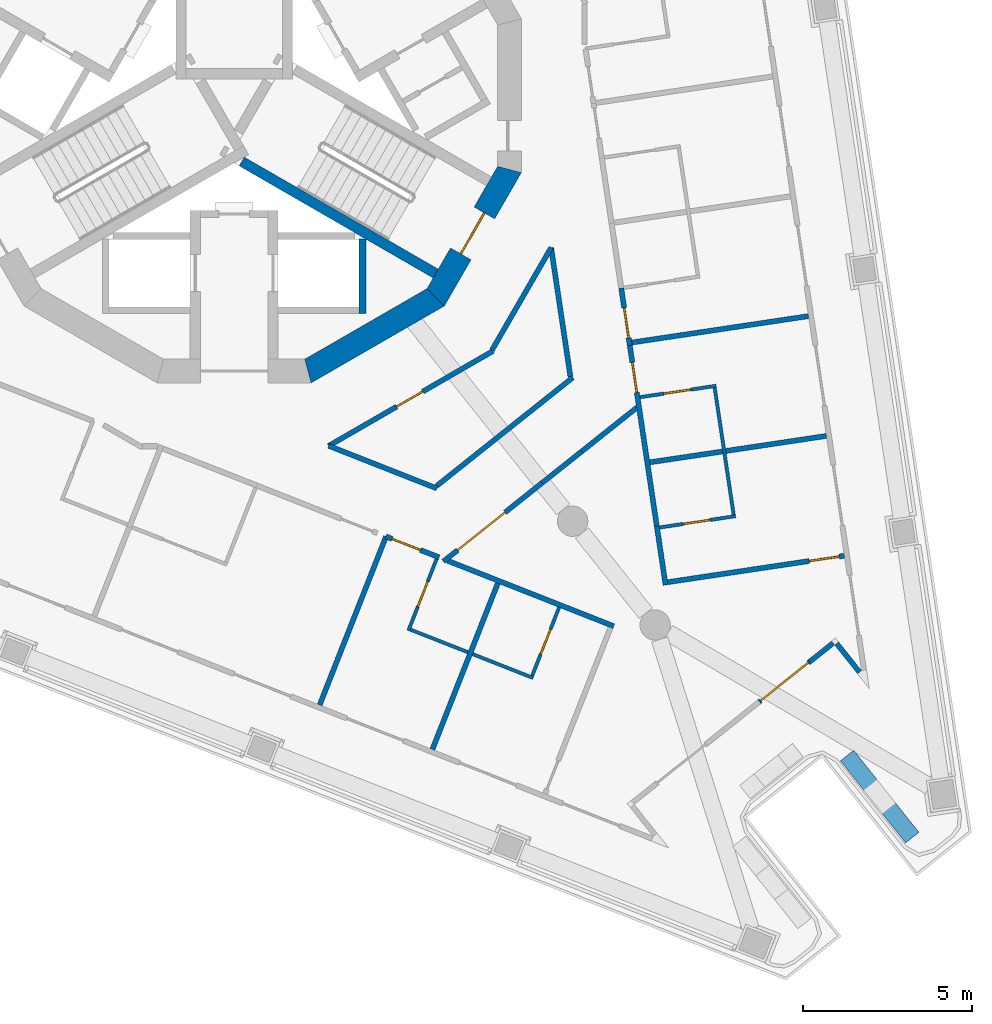
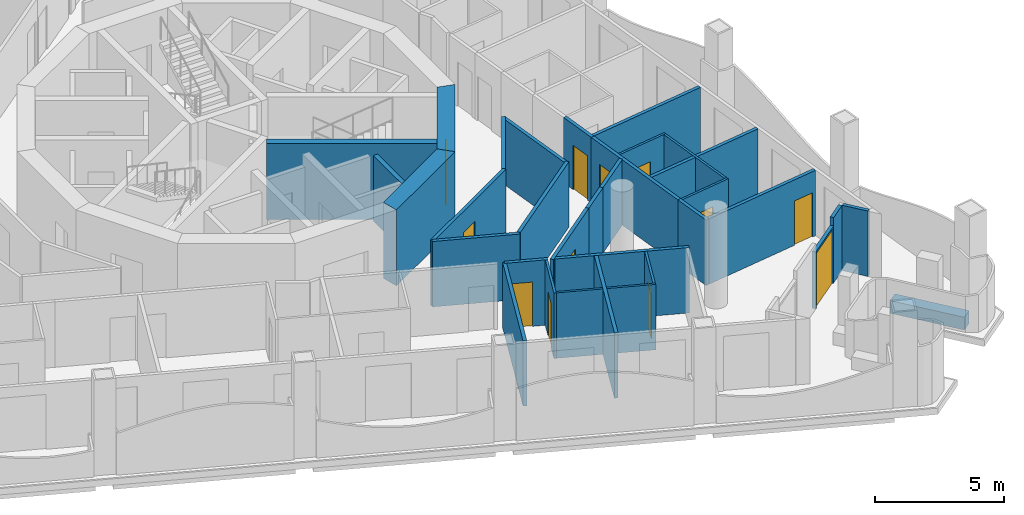
# One storey, part 5 of 16: 34 walls, 12 doors, 12 openings.
"""IFC4 building model written with IfcOpenShell, lengths in metres."""

from ifc_helpers import new_model, si_unit, direction, frame, frame_2d, origin, place, context, subcontext, project, spatial, polyline, rectangle, outline, extrude, material, layer, layer_set, type_object, element, fill, save


model = new_model("IFC4")

# Units and contexts
model_context = context("Model", 3, precision=1e-05, world=origin(), true_north=direction((0.0, 1.0)))
body_context = subcontext(model_context, "Body", "Model", "MODEL_VIEW")
ifc_project = project(units=[si_unit("LENGTHUNIT", "METRE"), si_unit("AREAUNIT", "SQUARE_METRE"), si_unit("VOLUMEUNIT", "CUBIC_METRE"), si_unit("PLANEANGLEUNIT", "RADIAN"), si_unit("MASSUNIT", "GRAM", prefix="KILO")], contexts=[model_context])

# Site, building, storey
site_placement = place(None, origin())
site = spatial("IfcSite", under=ifc_project, at=site_placement, CompositionType="ELEMENT")
building_placement = place(site_placement, origin())
building = spatial("IfcBuilding", under=site, at=building_placement, Name="Trine Commons Tower", CompositionType="ELEMENT")
storey_placement = place(building_placement, frame((0.0, 0.0, 226.800048828125)))
storey = spatial("IfcBuildingStorey", under=building, at=storey_placement, Name="L59", CompositionType="ELEMENT", Elevation=226.800048828125)

# Walls
ifc_material_1 = material(Name="Aluminium-framed insulated wall panel", Category="aluminium")
ifc_layer_1 = layer(ifc_material_1, 0.14990234375)
ifc_layer_set_1 = layer_set([ifc_layer_1], Name="Aluminium-framed insulated wall panel")
wall_type_1 = type_object("IfcWallType", Name="Glazed frame wall 150, EI 60", PredefinedType="SOLIDWALL", material=ifc_layer_set_1)
wall_1_placement = place(storey_placement, frame((98.603759765625, 45.320556640625, 0.0), z_axis=(0.0, 0.0, 1.0), x_axis=(-0.6225008228, 0.782619144676, 0.0)))
element("IfcWall", 1, at=wall_1_placement, inside=storey, type_object=wall_type_1, Name="Glazed frame wall R6", PredefinedType="SOLIDWALL", context=body_context, shape_type="SweptSolid", body=[
    extrude(outline(polyline([(0.1494140625, 0.074951171875), (0.1494140625, -0.074951171875), (1.235107421875, -0.074951171875), (1.235107421875, 0.074951171875), (0.1494140625, 0.074951171875)])), origin(), (0.0, 0.0, 1.0), 3.099853515625),
])
wall_2_placement = place(storey_placement, frame((97.815673828125, 46.367431640625, 0.0), z_axis=(0.0, 0.0, 1.0), x_axis=(-0.78265242488, -0.622458980037, 0.0)))
element("IfcWall", 2, at=wall_2_placement, inside=storey, type_object=wall_type_1, Name="Glazed frame wall P2.1", PredefinedType="SOLIDWALL", context=body_context, shape_type="SweptSolid", body=[
    extrude(outline(polyline([(0.110107421875, -0.074951171875), (1.0, -0.074951171875), (1.0, 0.074951171875), (0.110107421875, 0.074951171875), (0.110107421875, -0.074951171875)])), origin(), (0.0, 0.0, 1.0), 3.099853515625),
])

# Wall, opening, door
wall_3_placement = place(storey_placement, frame((97.033203125, 45.7451171875, 0.0), z_axis=(0.0, 0.0, 1.0), x_axis=(-0.782608167395, -0.622514623384, 0.0)))
wall_3 = element("IfcWall", 3, at=wall_3_placement, inside=storey, type_object=wall_type_1, Name="Glazed frame wall P2.2", PredefinedType="SOLIDWALL", context=body_context, shape_type="SweptSolid", body=[
    extrude(outline(polyline([(0.0, -0.074951171875), (1.89990234375, -0.074951171875), (1.89990234375, 0.074951171875), (0.0, 0.074951171875), (0.0, -0.074951171875)])), origin(), (0.0, 0.0, 1.0), 2.699951171875),
])
opening_1_placement = place(wall_3_placement, frame((0.050048828125, 0.0, 0.0)))
opening_1 = element("IfcOpeningElement", 4, at=opening_1_placement, cuts=wall_3, Name="Opening BD-6P2-01", PredefinedType="OPENING", context=body_context, shape_type="SweptSolid", body=[
    extrude(rectangle(XDim=1.800048828125, YDim=2.60009765625, at=frame_2d((0.89990234375, 1.300048828125))), frame((0.0, 0.0849609375, 0.0), z_axis=(0.0, -1.0, 0.0), x_axis=(1.0, 0.0, 0.0)), (0.0, 0.0, 1.0), 0.169921875),
])
ifc_material_2 = material(Name="Anodised aluminium frame with double glazing", Category="aluminium")
door_type_1 = type_object("IfcDoorType", Name="Sliding loggia door 1800x2600", OperationType="SLIDING_TO_LEFT", PredefinedType="DOOR", material=ifc_material_2)
door_1_placement = place(opening_1_placement, origin())
door_1 = element("IfcDoor", 5, at=door_1_placement, inside=storey, type_object=door_type_1, Name="Loggia door P2 1", OperationType="SLIDING_TO_LEFT", OverallHeight=2.60009765625, OverallWidth=1.800048828125, PredefinedType="DOOR", context=body_context, shape_type="SweptSolid", body=[
    extrude(rectangle(XDim=1.800048828125, YDim=2.60009765625, at=frame_2d((0.89990234375, 1.300048828125))), frame((0.0, 0.02490234375, 0.0), z_axis=(0.0, -1.0, 0.0), x_axis=(1.0, 0.0, 0.0)), (0.0, 0.0, 1.0), 0.050048828125),
])
fill(opening_1, door_1)

# Walls
ifc_material_3 = material(Name="Planter trough, precast concrete C40/50", Category="concrete")
ifc_layer_2 = layer(ifc_material_3, 0.5)
ifc_layer_set_2 = layer_set([ifc_layer_2], Name="Planter trough, precast concrete C40/50")
wall_type_2 = type_object("IfcWallType", Name="Planter trough 500x600", PredefinedType="PARAPET", material=ifc_layer_set_2)
wall_4_placement = place(storey_placement, frame((100.0732421875, 40.54150390625, 0.0), z_axis=(0.0, 0.0, 1.0), x_axis=(-0.622502736232, 0.782617622715, 0.0)))
element("IfcWall", 6, at=wall_4_placement, inside=storey, type_object=wall_type_2, Name="Planter 7", PredefinedType="PARAPET", context=body_context, shape_type="SweptSolid", body=[
    extrude(rectangle(XDim=3.099853515625, YDim=0.5, at=frame_2d((1.5498046875, 0.0))), origin(), (0.0, 0.0, 1.0), 0.599853515625),
])
ifc_material_4 = material(Name="Concrete C60/75", Category="concrete")
ifc_layer_3 = layer(ifc_material_4, 0.300048828125)
ifc_layer_set_3 = layer_set([ifc_layer_3], Name="Concrete C60/75")
wall_type_3 = type_object("IfcWallType", Name="RC shear wall 300 mm, C60/75", PredefinedType="SHEAR", material=ifc_layer_set_3)
wall_5_placement = place(storey_placement, frame((80.22509765625, 60.552001953125, 0.0), z_axis=(0.0, 0.0, 1.0), x_axis=(0.866009627307, -0.500027324665, 0.0)))
element("IfcWall", 7, at=wall_5_placement, inside=storey, type_object=wall_type_3, Name="Core cross wall SWC-13 L59", PredefinedType="SHEAR", context=body_context, shape_type="SweptSolid", body=[
    extrude(rectangle(XDim=6.631591796875, YDim=0.300048828125, at=frame_2d((3.31591796875, 0.0))), origin(), (0.0, 0.0, 1.0), 3.599853515625),
])
ifc_layer_4 = layer(ifc_material_4, 0.699951171875)
ifc_layer_set_4 = layer_set([ifc_layer_4], Name="Concrete C60/75")
wall_type_4 = type_object("IfcWallType", Name="RC shear wall 700 mm, C60/75", PredefinedType="SHEAR", material=ifc_layer_set_4)
wall_6_placement = place(storey_placement, frame((82.1025390625, 54.302978515625, 0.0), z_axis=(0.0, 0.0, 1.0), x_axis=(0.866034756103, 0.499983800959, 0.0)))
element("IfcWall", 8, at=wall_6_placement, inside=storey, type_object=wall_type_4, Name="Core wall CWF-11 L59", PredefinedType="SHEAR", context=body_context, shape_type="SweptSolid", body=[
    extrude(outline(polyline([(0.0, -0.35009765625), (4.55517578125, -0.35009765625), (4.36767578125, 0.35009765625), (0.1875, 0.35009765625), (0.0, -0.35009765625)])), origin(), (0.0, 0.0, 1.0), 3.599853515625),
])

# Wall, opening, door
wall_7_placement = place(storey_placement, frame((85.91943359375, 56.452392578125, 0.0), z_axis=(0.0, 0.0, 1.0), x_axis=(0.499983800959, 0.866034756103, 0.0)))
wall_7 = element("IfcWall", 9, at=wall_7_placement, inside=storey, type_object=wall_type_4, Name="Core wall CWF-12 L59", PredefinedType="SHEAR", context=body_context, shape_type="SweptSolid", body=[
    extrude(outline(polyline([(0.0, -0.35009765625), (4.55517578125, -0.35009765625), (4.36767578125, 0.35009765625), (0.1875, 0.35009765625), (0.0, -0.35009765625)])), origin(), (0.0, 0.0, 1.0), 3.599853515625),
])
opening_2_placement = place(wall_7_placement, frame((1.577392578125, 0.0, 0.0)))
opening_2 = element("IfcOpeningElement", 10, at=opening_2_placement, cuts=wall_7, Name="Opening K15.03", PredefinedType="OPENING", context=body_context, shape_type="SweptSolid", body=[
    extrude(rectangle(XDim=1.39990234375, YDim=2.10009765625, at=frame_2d((0.699951171875, 1.050048828125))), frame((0.0, 0.35986328125, 0.0), z_axis=(0.0, -1.0, 0.0), x_axis=(1.0, 0.0, 0.0)), (0.0, 0.0, 1.0), 0.719970703125),
])
ifc_material_5 = material(Name="Steel door leaves, fire-rated", Category="steel")
door_type_2 = type_object("IfcDoorType", Name="Stair door, double leaf 1400 x 2100, FD90", OperationType="DOUBLE_DOOR_SINGLE_SWING", PredefinedType="DOOR", material=ifc_material_5)
door_2_placement = place(opening_2_placement, origin())
door_2 = element("IfcDoor", 11, at=door_2_placement, inside=storey, type_object=door_type_2, Name="Stair door to Exit stair ST3C L59", OperationType="DOUBLE_DOOR_SINGLE_SWING", OverallHeight=2.10009765625, OverallWidth=1.39990234375, PredefinedType="DOOR", context=body_context, shape_type="SweptSolid", body=[
    extrude(rectangle(XDim=1.39990234375, YDim=2.10009765625, at=frame_2d((0.699951171875, 1.050048828125))), frame((0.0, 0.02490234375, 0.0), z_axis=(0.0, -1.0, 0.0), x_axis=(1.0, 0.0, 0.0)), (0.0, 0.0, 1.0), 0.050048828125),
])
fill(opening_2, door_2)

# Walls
ifc_material_6 = material(Name="Fire-rated gypsum shaft wall system")
ifc_layer_5 = layer(ifc_material_6, 0.199951171875)
ifc_layer_set_5 = layer_set([ifc_layer_5], Name="Fire-rated gypsum shaft wall system")
wall_type_5 = type_object("IfcWallType", Name="Shaft wall 200 mm, EI 120", PredefinedType="PARTITIONING", material=ifc_layer_set_5)
wall_8_placement = place(storey_placement, frame((83.800048828125, 58.257080078125, 0.0), z_axis=(0.0, 0.0, 1.0), x_axis=(0.0, -1.0, 0.0)))
element("IfcWall", 12, at=wall_8_placement, inside=storey, type_object=wall_type_5, Name="Shaft wall L59", PredefinedType="PARTITIONING", context=body_context, shape_type="SweptSolid", body=[
    extrude(rectangle(XDim=2.20703125, YDim=0.199951171875, at=frame_2d((1.103515625, 0.0))), origin(), (0.0, 0.0, 1.0), 3.099853515625),
])
ifc_material_7 = material(Name="Gypsum plasterboard on steel stud", Category="steel")
ifc_layer_6 = layer(ifc_material_7, 0.14990234375)
ifc_layer_set_6 = layer_set([ifc_layer_6], Name="Gypsum plasterboard on steel stud")
wall_type_6 = type_object("IfcWallType", Name="Unit and corridor wall 150 mm, EI 60", PredefinedType="PARTITIONING", material=ifc_layer_set_6)
wall_9_placement = place(storey_placement, frame((82.53173828125, 44.46728515625, 0.0), z_axis=(0.0, 0.0, 1.0), x_axis=(0.366658333351, 0.930355666712, 0.0)))
element("IfcWall", 13, at=wall_9_placement, inside=storey, type_object=wall_type_6, Name="Partition 060", PredefinedType="PARTITIONING", context=body_context, shape_type="SweptSolid", body=[
    extrude(rectangle(XDim=5.360107421875, YDim=0.14990234375, at=frame_2d((2.68017578125, 0.0))), origin(), (0.0, 0.0, 1.0), 3.099853515625),
])

# Wall, opening, door
wall_10_placement = place(storey_placement, frame((82.798095703125, 52.135009765625, 0.0), z_axis=(0.0, 0.0, 1.0), x_axis=(0.865994393525, 0.500053707499, 0.0)))
wall_10 = element("IfcWall", 14, at=wall_10_placement, inside=storey, type_object=wall_type_6, Name="Partition 063", PredefinedType="PARTITIONING", context=body_context, shape_type="SweptSolid", body=[
    extrude(rectangle(XDim=5.6142578125, YDim=0.14990234375, at=frame_2d((2.80712890625, 0.0))), origin(), (0.0, 0.0, 1.0), 3.099853515625),
])
opening_3_placement = place(wall_10_placement, frame((2.321533203125, 0.0, 0.0)))
opening_3 = element("IfcOpeningElement", 15, at=opening_3_placement, cuts=wall_10, Name="Opening D-6C26", PredefinedType="OPENING", context=body_context, shape_type="SweptSolid", body=[
    extrude(rectangle(XDim=0.89990234375, YDim=2.10009765625, at=frame_2d((0.449951171875, 1.050048828125))), frame((0.0, 0.0849609375, 0.0), z_axis=(0.0, -1.0, 0.0), x_axis=(1.0, 0.0, 0.0)), (0.0, 0.0, 1.0), 0.169921875),
])
ifc_material_8 = material(Name="Timber fire door set", Category="wood")
door_type_3 = type_object("IfcDoorType", Name="Service door 900 x 2100, FD30S", OperationType="NOTDEFINED", PredefinedType="DOOR", material=ifc_material_8)
door_3_placement = place(opening_3_placement, frame((0.89990234375, 0.0, 0.0), z_axis=(0.0, 0.0, 1.0), x_axis=(-1.0, 0.0, 0.0)))
door_3 = element("IfcDoor", 16, at=door_3_placement, inside=storey, type_object=door_type_3, Name="Door D-6C26", OperationType="SINGLE_SWING_RIGHT", OverallHeight=2.10009765625, OverallWidth=0.89990234375, PredefinedType="DOOR", context=body_context, shape_type="SweptSolid", body=[
    extrude(rectangle(XDim=0.89990234375, YDim=2.10009765625, at=frame_2d((0.449951171875, 1.050048828125))), frame((0.0, 0.02490234375, 0.0), z_axis=(0.0, -1.0, 0.0), x_axis=(1.0, 0.0, 0.0)), (0.0, 0.0, 1.0), 0.050048828125),
])
fill(opening_3, door_3)

# Wall
wall_11_placement = place(storey_placement, frame((82.801025390625, 52.136962890625, 0.0), z_axis=(0.0, 0.0, 1.0), x_axis=(0.930387129981, -0.366578488685, 0.0)))
element("IfcWall", 17, at=wall_11_placement, inside=storey, type_object=wall_type_6, Name="Partition 064", PredefinedType="PARTITIONING", context=body_context, shape_type="SweptSolid", body=[
    extrude(rectangle(XDim=3.441162109375, YDim=0.14990234375, at=frame_2d((1.720703125, 0.0))), origin(), (0.0, 0.0, 1.0), 3.099853515625),
])

# Wall, opening, door
wall_12_placement = place(storey_placement, frame((84.492919921875, 49.455078125, 0.0), z_axis=(0.0, 0.0, 1.0), x_axis=(0.930558708254, -0.366142718748, 0.0)))
wall_12 = element("IfcWall", 18, at=wall_12_placement, inside=storey, type_object=wall_type_6, Name="Partition 071", PredefinedType="PARTITIONING", context=body_context, shape_type="SweptSolid", body=[
    extrude(rectangle(XDim=1.6943359375, YDim=0.14990234375, at=frame_2d((0.84716796875, 0.0))), origin(), (0.0, 0.0, 1.0), 3.099853515625),
])
opening_4_placement = place(wall_12_placement, frame((0.19775390625, 0.0, 0.0)))
opening_4 = element("IfcOpeningElement", 19, at=opening_4_placement, cuts=wall_12, Name="Opening D-6C21", PredefinedType="OPENING", context=body_context, shape_type="SweptSolid", body=[
    extrude(rectangle(XDim=0.89990234375, YDim=2.10009765625, at=frame_2d((0.449951171875, 1.050048828125))), frame((0.0, 0.0849609375, 0.0), z_axis=(0.0, -1.0, 0.0), x_axis=(1.0, 0.0, 0.0)), (0.0, 0.0, 1.0), 0.169921875),
])
door_type_4 = type_object("IfcDoorType", Name="Bedroom door 900 x 2100, FD30S", OperationType="NOTDEFINED", PredefinedType="DOOR", material=ifc_material_8)
door_4_placement = place(opening_4_placement, frame((0.89990234375, 0.0, 0.0), z_axis=(0.0, 0.0, 1.0), x_axis=(-1.0, 0.0, 0.0)))
door_4 = element("IfcDoor", 20, at=door_4_placement, inside=storey, type_object=door_type_4, Name="Door D-6C21", OperationType="SINGLE_SWING_RIGHT", OverallHeight=2.10009765625, OverallWidth=0.89990234375, PredefinedType="DOOR", context=body_context, shape_type="SweptSolid", body=[
    extrude(rectangle(XDim=0.89990234375, YDim=2.10009765625, at=frame_2d((0.449951171875, 1.050048828125))), frame((0.0, 0.02490234375, 0.0), z_axis=(0.0, -1.0, 0.0), x_axis=(1.0, 0.0, 0.0)), (0.0, 0.0, 1.0), 0.050048828125),
])
fill(opening_4, door_4)

# Walls
wall_13_placement = place(storey_placement, frame((85.86865234375, 43.152099609375, 0.0), z_axis=(0.0, 0.0, 1.0), x_axis=(0.366408201445, 0.930454206242, 0.0)))
element("IfcWall", 21, at=wall_13_placement, inside=storey, type_object=wall_type_6, Name="Partition 075", PredefinedType="PARTITIONING", context=body_context, shape_type="SweptSolid", body=[
    extrude(rectangle(XDim=5.285888671875, YDim=0.14990234375, at=frame_2d((2.64306640625, 0.0))), origin(), (0.0, 0.0, 1.0), 3.099853515625),
])
wall_14_placement = place(storey_placement, frame((85.99169921875, 50.94970703125, 0.0), z_axis=(0.0, 0.0, 1.0), x_axis=(0.782530221945, 0.622612601657, 0.0)))
element("IfcWall", 22, at=wall_14_placement, inside=storey, type_object=wall_type_6, Name="Partition 076", PredefinedType="PARTITIONING", context=body_context, shape_type="SweptSolid", body=[
    extrude(rectangle(XDim=5.152587890625, YDim=0.14990234375, at=frame_2d((2.576171875, 0.0))), origin(), (0.0, 0.0, 1.0), 3.099853515625),
])

# Wall, opening, door
wall_15_placement = place(storey_placement, frame((86.1943359375, 48.71533203125, 0.0), z_axis=(0.0, 0.0, 1.0), x_axis=(0.782511991975, 0.622635513294, 0.0)))
wall_15 = element("IfcWall", 23, at=wall_15_placement, inside=storey, type_object=wall_type_6, Name="Partition 077", PredefinedType="PARTITIONING", context=body_context, shape_type="SweptSolid", body=[
    extrude(rectangle(XDim=3.733642578125, YDim=0.14990234375, at=frame_2d((1.86669921875, 0.0))), origin(), (0.0, 0.0, 1.0), 3.099853515625),
])
opening_5_placement = place(wall_15_placement, frame((0.536865234375, 0.0, 0.0)))
opening_5 = element("IfcOpeningElement", 24, at=opening_5_placement, cuts=wall_15, Name="Opening D-6C02", PredefinedType="OPENING", context=body_context, shape_type="SweptSolid", body=[
    extrude(rectangle(XDim=1.800048828125, YDim=2.10009765625, at=frame_2d((0.89990234375, 1.050048828125))), frame((0.0, 0.0849609375, 0.0), z_axis=(0.0, -1.0, 0.0), x_axis=(1.0, 0.0, 0.0)), (0.0, 0.0, 1.0), 0.169921875),
])
door_type_5 = type_object("IfcDoorType", Name="Cluster entrance door 1800 x 2100, double leaf, FD30S", OperationType="DOUBLE_DOOR_DOUBLE_SWING", PredefinedType="DOOR", material=ifc_material_8)
door_5_placement = place(opening_5_placement, frame((1.800048828125, 0.0, 0.0), z_axis=(0.0, 0.0, 1.0), x_axis=(-1.0, 0.0, 0.0)))
door_5 = element("IfcDoor", 25, at=door_5_placement, inside=storey, type_object=door_type_5, Name="Door D-6C02", OperationType="DOUBLE_DOOR_DOUBLE_SWING", OverallHeight=2.10009765625, OverallWidth=1.800048828125, PredefinedType="DOOR", context=body_context, shape_type="SweptSolid", body=[
    extrude(rectangle(XDim=1.800048828125, YDim=2.10009765625, at=frame_2d((0.89990234375, 1.050048828125))), frame((0.0, 0.02490234375, 0.0), z_axis=(0.0, -1.0, 0.0), x_axis=(1.0, 0.0, 0.0)), (0.0, 0.0, 1.0), 0.050048828125),
])
fill(opening_5, door_5)

# Walls
wall_16_placement = place(storey_placement, frame((86.32275390625, 48.734619140625, 0.0), z_axis=(0.0, 0.0, 1.0), x_axis=(0.930382606838, -0.366589968348, 0.0)))
element("IfcWall", 26, at=wall_16_placement, inside=storey, type_object=wall_type_6, Name="Partition 078", PredefinedType="PARTITIONING", context=body_context, shape_type="SweptSolid", body=[
    extrude(rectangle(XDim=5.283935546875, YDim=0.14990234375, at=frame_2d((2.64208984375, 0.0))), origin(), (0.0, 0.0, 1.0), 3.099853515625),
])
wall_17_placement = place(storey_placement, frame((87.632568359375, 54.969970703125, 0.0), z_axis=(0.0, 0.0, 1.0), x_axis=(0.50005009493, 0.865996479531, 0.0)))
element("IfcWall", 27, at=wall_17_placement, inside=storey, type_object=wall_type_6, Name="Partition 082", PredefinedType="PARTITIONING", context=body_context, shape_type="SweptSolid", body=[
    extrude(rectangle(XDim=3.504638671875, YDim=0.14990234375, at=frame_2d((1.75244140625, 0.0))), origin(), (0.0, 0.0, 1.0), 3.099853515625),
])
wall_18_placement = place(storey_placement, frame((89.115966796875, 51.0400390625, 0.0), z_axis=(0.0, 0.0, 1.0), x_axis=(0.7828906441, 0.622159336007, 0.0)))
element("IfcWall", 28, at=wall_18_placement, inside=storey, type_object=wall_type_6, Name="Partition 092", PredefinedType="PARTITIONING", context=body_context, shape_type="SweptSolid", body=[
    extrude(rectangle(XDim=1.4931640625, YDim=0.14990234375, at=frame_2d((0.74658203125, 0.0))), origin(), (0.0, 0.0, 1.0), 3.099853515625),
])
wall_19_placement = place(storey_placement, frame((89.383056640625, 58.001953125, 0.0), z_axis=(0.0, 0.0, 1.0), x_axis=(0.14791043165, -0.989000760469, 0.0)))
element("IfcWall", 29, at=wall_19_placement, inside=storey, type_object=wall_type_6, Name="Partition 094", PredefinedType="PARTITIONING", context=body_context, shape_type="SweptSolid", body=[
    extrude(rectangle(XDim=3.859130859375, YDim=0.14990234375, at=frame_2d((1.9296875, 0.0))), origin(), (0.0, 0.0, 1.0), 3.099853515625),
])
wall_20_placement = place(storey_placement, frame((90.284912109375, 51.968994140625, 0.0), z_axis=(0.0, 0.0, 1.0), x_axis=(0.782529911794, 0.622612991471, 0.0)))
element("IfcWall", 30, at=wall_20_placement, inside=storey, type_object=wall_type_6, Name="Partition 099", PredefinedType="PARTITIONING", context=body_context, shape_type="SweptSolid", body=[
    extrude(rectangle(XDim=2.090087890625, YDim=0.14990234375, at=frame_2d((1.044921875, 0.0))), origin(), (0.0, 0.0, 1.0), 3.099853515625),
])

# Wall, opening, door
wall_21_placement = place(storey_placement, frame((91.4580078125, 56.805908203125, 0.0), z_axis=(0.0, 0.0, 1.0), x_axis=(0.147145743131, -0.989114821585, 0.0)))
wall_21 = element("IfcWall", 31, at=wall_21_placement, inside=storey, type_object=wall_type_6, Name="Partition 111", PredefinedType="PARTITIONING", context=body_context, shape_type="SweptSolid", body=[
    extrude(rectangle(XDim=1.718994140625, YDim=0.14990234375, at=frame_2d((0.859375, 0.0))), origin(), (0.0, 0.0, 1.0), 3.099853515625),
])
opening_6_placement = place(wall_21_placement, frame((0.58984375, 0.0, 0.0)))
opening_6 = element("IfcOpeningElement", 32, at=opening_6_placement, cuts=wall_21, Name="Opening D-6C17", PredefinedType="OPENING", context=body_context, shape_type="SweptSolid", body=[
    extrude(rectangle(XDim=0.89990234375, YDim=2.10009765625, at=frame_2d((0.449951171875, 1.050048828125))), frame((0.0, 0.0849609375, 0.0), z_axis=(0.0, -1.0, 0.0), x_axis=(1.0, 0.0, 0.0)), (0.0, 0.0, 1.0), 0.169921875),
])
door_6_placement = place(opening_6_placement, origin())
door_6 = element("IfcDoor", 33, at=door_6_placement, inside=storey, type_object=door_type_4, Name="Door D-6C17", OperationType="SINGLE_SWING_RIGHT", OverallHeight=2.10009765625, OverallWidth=0.89990234375, PredefinedType="DOOR", context=body_context, shape_type="SweptSolid", body=[
    extrude(rectangle(XDim=0.89990234375, YDim=2.10009765625, at=frame_2d((0.449951171875, 1.050048828125))), frame((0.0, 0.02490234375, 0.0), z_axis=(0.0, -1.0, 0.0), x_axis=(1.0, 0.0, 0.0)), (0.0, 0.0, 1.0), 0.050048828125),
])
fill(opening_6, door_6)

wall_22_placement = place(storey_placement, frame((91.698974609375, 55.18798828125, 0.0), z_axis=(0.0, 0.0, 1.0), x_axis=(0.147922673627, -0.988998929538, 0.0)))
wall_22 = element("IfcWall", 34, at=wall_22_placement, inside=storey, type_object=wall_type_6, Name="Partition 112", PredefinedType="PARTITIONING", context=body_context, shape_type="SweptSolid", body=[
    extrude(rectangle(XDim=5.5439453125, YDim=0.14990234375, at=frame_2d((2.77197265625, 0.0))), origin(), (0.0, 0.0, 1.0), 3.099853515625),
])
opening_7_placement = place(wall_22_placement, frame((0.590087890625, 0.0, 0.0)))
opening_7 = element("IfcOpeningElement", 35, at=opening_7_placement, cuts=wall_22, Name="Opening D-6C18", PredefinedType="OPENING", context=body_context, shape_type="SweptSolid", body=[
    extrude(rectangle(XDim=0.89990234375, YDim=2.10009765625, at=frame_2d((0.449951171875, 1.050048828125))), frame((0.0, 0.0849609375, 0.0), z_axis=(0.0, -1.0, 0.0), x_axis=(1.0, 0.0, 0.0)), (0.0, 0.0, 1.0), 0.169921875),
])
door_7_placement = place(opening_7_placement, origin())
door_7 = element("IfcDoor", 36, at=door_7_placement, inside=storey, type_object=door_type_4, Name="Door D-6C18", OperationType="SINGLE_SWING_LEFT", OverallHeight=2.10009765625, OverallWidth=0.89990234375, PredefinedType="DOOR", context=body_context, shape_type="SweptSolid", body=[
    extrude(rectangle(XDim=0.89990234375, YDim=2.10009765625, at=frame_2d((0.449951171875, 1.050048828125))), frame((0.0, 0.02490234375, 0.0), z_axis=(0.0, -1.0, 0.0), x_axis=(1.0, 0.0, 0.0)), (0.0, 0.0, 1.0), 0.050048828125),
])
fill(opening_7, door_7)

# Walls
wall_23_placement = place(storey_placement, frame((91.774169921875, 55.195068359375, 0.0), z_axis=(0.0, 0.0, 1.0), x_axis=(0.98902190879, 0.147768954566, 0.0)))
element("IfcWall", 37, at=wall_23_placement, inside=storey, type_object=wall_type_6, Name="Partition 113", PredefinedType="PARTITIONING", context=body_context, shape_type="SweptSolid", body=[
    extrude(rectangle(XDim=5.285400390625, YDim=0.14990234375, at=frame_2d((2.642578125, 0.0))), origin(), (0.0, 0.0, 1.0), 3.099853515625),
])
wall_24_placement = place(storey_placement, frame((92.30419921875, 51.649169921875, 0.0), z_axis=(0.0, 0.0, 1.0), x_axis=(0.989097136126, 0.147264575874, 0.0)))
element("IfcWall", 38, at=wall_24_placement, inside=storey, type_object=wall_type_6, Name="Partition 116", PredefinedType="PARTITIONING", context=body_context, shape_type="SweptSolid", body=[
    extrude(rectangle(XDim=2.175048828125, YDim=0.14990234375, at=frame_2d((1.08740234375, 0.0))), origin(), (0.0, 0.0, 1.0), 3.099853515625),
])
wall_25_placement = place(storey_placement, frame((92.510498046875, 49.762451171875, 0.0), z_axis=(0.0, 0.0, 1.0), x_axis=(0.147596346484, -0.989047682624, 0.0)))
element("IfcWall", 39, at=wall_25_placement, inside=storey, type_object=wall_type_6, Name="Partition 117", PredefinedType="PARTITIONING", context=body_context, shape_type="SweptSolid", body=[
    extrude(rectangle(XDim=1.764892578125, YDim=0.14990234375, at=frame_2d((0.88232421875, 0.0))), origin(), (0.0, 0.0, 1.0), 3.099853515625),
])

# Wall, opening, door
wall_26_placement = place(storey_placement, frame((92.834228515625, 48.10205078125, 0.0), z_axis=(0.0, 0.0, 1.0), x_axis=(0.989020900083, 0.147775705715, 0.0)))
wall_26 = element("IfcWall", 40, at=wall_26_placement, inside=storey, type_object=wall_type_6, Name="Partition 121", PredefinedType="PARTITIONING", context=body_context, shape_type="SweptSolid", body=[
    extrude(rectangle(XDim=5.28515625, YDim=0.14990234375, at=frame_2d((2.642578125, 0.0))), origin(), (0.0, 0.0, 1.0), 3.099853515625),
])
opening_8_placement = place(wall_26_placement, frame((4.2353515625, 0.0, 0.0)))
opening_8 = element("IfcOpeningElement", 41, at=opening_8_placement, cuts=wall_26, Name="Opening D-6C19", PredefinedType="OPENING", context=body_context, shape_type="SweptSolid", body=[
    extrude(rectangle(XDim=0.89990234375, YDim=2.10009765625, at=frame_2d((0.449951171875, 1.050048828125))), frame((0.0, 0.0849609375, 0.0), z_axis=(0.0, -1.0, 0.0), x_axis=(1.0, 0.0, 0.0)), (0.0, 0.0, 1.0), 0.169921875),
])
door_8_placement = place(opening_8_placement, origin())
door_8 = element("IfcDoor", 42, at=door_8_placement, inside=storey, type_object=door_type_4, Name="Door D-6C19", OperationType="SINGLE_SWING_RIGHT", OverallHeight=2.10009765625, OverallWidth=0.89990234375, PredefinedType="DOOR", context=body_context, shape_type="SweptSolid", body=[
    extrude(rectangle(XDim=0.89990234375, YDim=2.10009765625, at=frame_2d((0.449951171875, 1.050048828125))), frame((0.0, 0.02490234375, 0.0), z_axis=(0.0, -1.0, 0.0), x_axis=(1.0, 0.0, 0.0)), (0.0, 0.0, 1.0), 0.050048828125),
])
fill(opening_8, door_8)

# Wall
wall_27_placement = place(storey_placement, frame((94.554443359375, 51.984375, 0.0), z_axis=(0.0, 0.0, 1.0), x_axis=(0.988973205447, 0.148094560698, 0.0)))
element("IfcWall", 43, at=wall_27_placement, inside=storey, type_object=wall_type_6, Name="Partition 124", PredefinedType="PARTITIONING", context=body_context, shape_type="SweptSolid", body=[
    extrude(rectangle(XDim=3.01025390625, YDim=0.14990234375, at=frame_2d((1.505126953125, 0.0))), origin(), (0.0, 0.0, 1.0), 3.099853515625),
])

# Wall, opening, door
ifc_layer_7 = layer(ifc_material_7, 0.10009765625)
ifc_layer_set_7 = layer_set([ifc_layer_7], Name="Gypsum plasterboard on steel stud")
wall_type_7 = type_object("IfcWallType", Name="Unit partition 100 mm, no rating", PredefinedType="PARTITIONING", material=ifc_layer_set_7)
wall_28_placement = place(storey_placement, frame((85.15771484375, 46.66748046875, 0.0), z_axis=(0.0, 0.0, 1.0), x_axis=(0.366482291334, 0.930425026608, 0.0)))
wall_28 = element("IfcWall", 44, at=wall_28_placement, inside=storey, type_object=wall_type_7, Name="Partition 073", PredefinedType="PARTITIONING", context=body_context, shape_type="SweptSolid", body=[
    extrude(rectangle(XDim=2.27490234375, YDim=0.10009765625, at=frame_2d((1.137451171875, 0.0))), origin(), (0.0, 0.0, 1.0), 3.099853515625),
])
opening_9_placement = place(wall_28_placement, frame((0.762451171875, 0.0, 0.0)))
opening_9 = element("IfcOpeningElement", 45, at=opening_9_placement, cuts=wall_28, Name="Opening D-6C44", PredefinedType="OPENING", context=body_context, shape_type="SweptSolid", body=[
    extrude(rectangle(XDim=0.800048828125, YDim=2.10009765625, at=frame_2d((0.39990234375, 1.050048828125))), frame((0.0, 0.06005859375, 0.0), z_axis=(0.0, -1.0, 0.0), x_axis=(1.0, 0.0, 0.0)), (0.0, 0.0, 1.0), 0.1201171875),
])
ifc_material_9 = material(Name="Painted timber", Category="wood")
door_type_6 = type_object("IfcDoorType", Name="Internal door 800 x 2100, NOT RATED", OperationType="NOTDEFINED", PredefinedType="DOOR", material=ifc_material_9)
door_9_placement = place(opening_9_placement, origin())
door_9 = element("IfcDoor", 46, at=door_9_placement, inside=storey, type_object=door_type_6, Name="Door D-6C44", OperationType="SINGLE_SWING_RIGHT", OverallHeight=2.10009765625, OverallWidth=0.800048828125, PredefinedType="DOOR", context=body_context, shape_type="SweptSolid", body=[
    extrude(rectangle(XDim=0.800048828125, YDim=2.10009765625, at=frame_2d((0.39990234375, 1.050048828125))), frame((0.0, 0.02490234375, 0.0), z_axis=(0.0, -1.0, 0.0), x_axis=(1.0, 0.0, 0.0)), (0.0, 0.0, 1.0), 0.050048828125),
])
fill(opening_9, door_9)

# Walls
wall_29_placement = place(storey_placement, frame((85.222412109375, 46.69580078125, 0.0), z_axis=(0.0, 0.0, 1.0), x_axis=(0.930520354764, -0.366240179895, 0.0)))
element("IfcWall", 47, at=wall_29_placement, inside=storey, type_object=wall_type_7, Name="Partition 074", PredefinedType="PARTITIONING", context=body_context, shape_type="SweptSolid", body=[
    extrude(rectangle(XDim=1.824462890625, YDim=0.10009765625, at=frame_2d((0.912109375, 0.0))), origin(), (0.0, 0.0, 1.0), 3.099853515625),
])
wall_30_placement = place(storey_placement, frame((87.059814453125, 45.972412109375, 0.0), z_axis=(0.0, 0.0, 1.0), x_axis=(0.930345464998, -0.366684218038, 0.0)))
element("IfcWall", 48, at=wall_30_placement, inside=storey, type_object=wall_type_7, Name="Partition 080", PredefinedType="PARTITIONING", context=body_context, shape_type="SweptSolid", body=[
    extrude(rectangle(XDim=1.9248046875, YDim=0.10009765625, at=frame_2d((0.96240234375, 0.0))), origin(), (0.0, 0.0, 1.0), 3.099853515625),
])

# Wall, opening, door
wall_31_placement = place(storey_placement, frame((88.822265625, 45.33154296875, 0.0), z_axis=(0.0, 0.0, 1.0), x_axis=(0.366489184141, 0.930422311592, 0.0)))
wall_31 = element("IfcWall", 49, at=wall_31_placement, inside=storey, type_object=wall_type_7, Name="Partition 088", PredefinedType="PARTITIONING", context=body_context, shape_type="SweptSolid", body=[
    extrude(rectangle(XDim=2.175048828125, YDim=0.10009765625, at=frame_2d((1.08740234375, 0.0))), origin(), (0.0, 0.0, 1.0), 3.099853515625),
])
opening_10_placement = place(wall_31_placement, frame((0.6875, 0.0, 0.0)))
opening_10 = element("IfcOpeningElement", 50, at=opening_10_placement, cuts=wall_31, Name="Opening D-6C43", PredefinedType="OPENING", context=body_context, shape_type="SweptSolid", body=[
    extrude(rectangle(XDim=0.800048828125, YDim=2.10009765625, at=frame_2d((0.39990234375, 1.050048828125))), frame((0.0, 0.06005859375, 0.0), z_axis=(0.0, -1.0, 0.0), x_axis=(1.0, 0.0, 0.0)), (0.0, 0.0, 1.0), 0.1201171875),
])
door_10_placement = place(opening_10_placement, frame((0.800048828125, 0.0, 0.0), z_axis=(0.0, 0.0, 1.0), x_axis=(-1.0, 0.0, 0.0)))
door_10 = element("IfcDoor", 51, at=door_10_placement, inside=storey, type_object=door_type_6, Name="Door D-6C43", OperationType="SINGLE_SWING_LEFT", OverallHeight=2.10009765625, OverallWidth=0.800048828125, PredefinedType="DOOR", context=body_context, shape_type="SweptSolid", body=[
    extrude(rectangle(XDim=0.800048828125, YDim=2.10009765625, at=frame_2d((0.39990234375, 1.050048828125))), frame((0.0, 0.02490234375, 0.0), z_axis=(0.0, -1.0, 0.0), x_axis=(1.0, 0.0, 0.0)), (0.0, 0.0, 1.0), 0.050048828125),
])
fill(opening_10, door_10)

wall_32_placement = place(storey_placement, frame((92.01611328125, 53.5771484375, 0.0), z_axis=(0.0, 0.0, 1.0), x_axis=(0.989025888794, 0.147742313828, 0.0)))
wall_32 = element("IfcWall", 52, at=wall_32_placement, inside=storey, type_object=wall_type_7, Name="Partition 114", PredefinedType="PARTITIONING", context=body_context, shape_type="SweptSolid", body=[
    extrude(rectangle(XDim=2.275390625, YDim=0.10009765625, at=frame_2d((1.1376953125, 0.0))), origin(), (0.0, 0.0, 1.0), 3.099853515625),
])
opening_11_placement = place(wall_32_placement, frame((0.712646484375, 0.0, 0.0)))
opening_11 = element("IfcOpeningElement", 53, at=opening_11_placement, cuts=wall_32, Name="Opening D-6C41", PredefinedType="OPENING", context=body_context, shape_type="SweptSolid", body=[
    extrude(rectangle(XDim=0.800048828125, YDim=2.10009765625, at=frame_2d((0.39990234375, 1.050048828125))), frame((0.0, 0.06005859375, 0.0), z_axis=(0.0, -1.0, 0.0), x_axis=(1.0, 0.0, 0.0)), (0.0, 0.0, 1.0), 0.1201171875),
])
door_11_placement = place(opening_11_placement, origin())
door_11 = element("IfcDoor", 54, at=door_11_placement, inside=storey, type_object=door_type_6, Name="Door D-6C41", OperationType="SINGLE_SWING_LEFT", OverallHeight=2.10009765625, OverallWidth=0.800048828125, PredefinedType="DOOR", context=body_context, shape_type="SweptSolid", body=[
    extrude(rectangle(XDim=0.800048828125, YDim=2.10009765625, at=frame_2d((0.39990234375, 1.050048828125))), frame((0.0, 0.02490234375, 0.0), z_axis=(0.0, -1.0, 0.0), x_axis=(1.0, 0.0, 0.0)), (0.0, 0.0, 1.0), 0.050048828125),
])
fill(opening_11, door_11)

wall_33_placement = place(storey_placement, frame((92.59326171875, 49.72021484375, 0.0), z_axis=(0.0, 0.0, 1.0), x_axis=(0.989014169634, 0.147820743687, 0.0)))
wall_33 = element("IfcWall", 55, at=wall_33_placement, inside=storey, type_object=wall_type_7, Name="Partition 118", PredefinedType="PARTITIONING", context=body_context, shape_type="SweptSolid", body=[
    extrude(rectangle(XDim=2.274169921875, YDim=0.10009765625, at=frame_2d((1.13720703125, 0.0))), origin(), (0.0, 0.0, 1.0), 3.099853515625),
])
opening_12_placement = place(wall_33_placement, frame((0.712158203125, 0.0, 0.0)))
opening_12 = element("IfcOpeningElement", 56, at=opening_12_placement, cuts=wall_33, Name="Opening D-6C42", PredefinedType="OPENING", context=body_context, shape_type="SweptSolid", body=[
    extrude(rectangle(XDim=0.800048828125, YDim=2.10009765625, at=frame_2d((0.39990234375, 1.050048828125))), frame((0.0, 0.06005859375, 0.0), z_axis=(0.0, -1.0, 0.0), x_axis=(1.0, 0.0, 0.0)), (0.0, 0.0, 1.0), 0.1201171875),
])
door_12_placement = place(opening_12_placement, frame((0.800048828125, 0.0, 0.0), z_axis=(0.0, 0.0, 1.0), x_axis=(-1.0, 0.0, 0.0)))
door_12 = element("IfcDoor", 57, at=door_12_placement, inside=storey, type_object=door_type_6, Name="Door D-6C42", OperationType="SINGLE_SWING_RIGHT", OverallHeight=2.10009765625, OverallWidth=0.800048828125, PredefinedType="DOOR", context=body_context, shape_type="SweptSolid", body=[
    extrude(rectangle(XDim=0.800048828125, YDim=2.10009765625, at=frame_2d((0.39990234375, 1.050048828125))), frame((0.0, 0.02490234375, 0.0), z_axis=(0.0, -1.0, 0.0), x_axis=(1.0, 0.0, 0.0)), (0.0, 0.0, 1.0), 0.050048828125),
])
fill(opening_12, door_12)

# Wall
wall_34_placement = place(storey_placement, frame((94.224365234375, 53.8564453125, 0.0), z_axis=(0.0, 0.0, 1.0), x_axis=(0.147715184464, -0.989029941043, 0.0)))
element("IfcWall", 58, at=wall_34_placement, inside=storey, type_object=wall_type_7, Name="Partition 123", PredefinedType="PARTITIONING", context=body_context, shape_type="SweptSolid", body=[
    extrude(rectangle(XDim=3.7998046875, YDim=0.10009765625, at=frame_2d((1.89990234375, 0.0))), origin(), (0.0, 0.0, 1.0), 3.099853515625),
])

save(model, "model.ifc")
